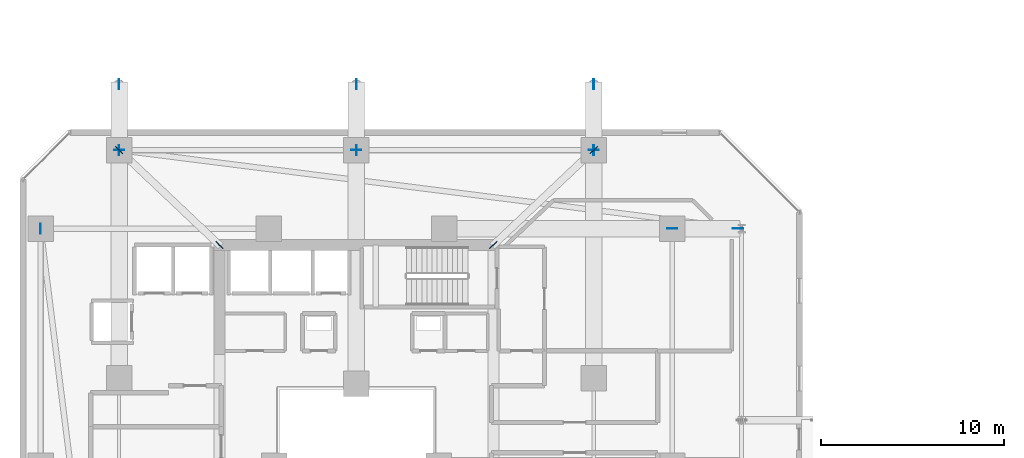
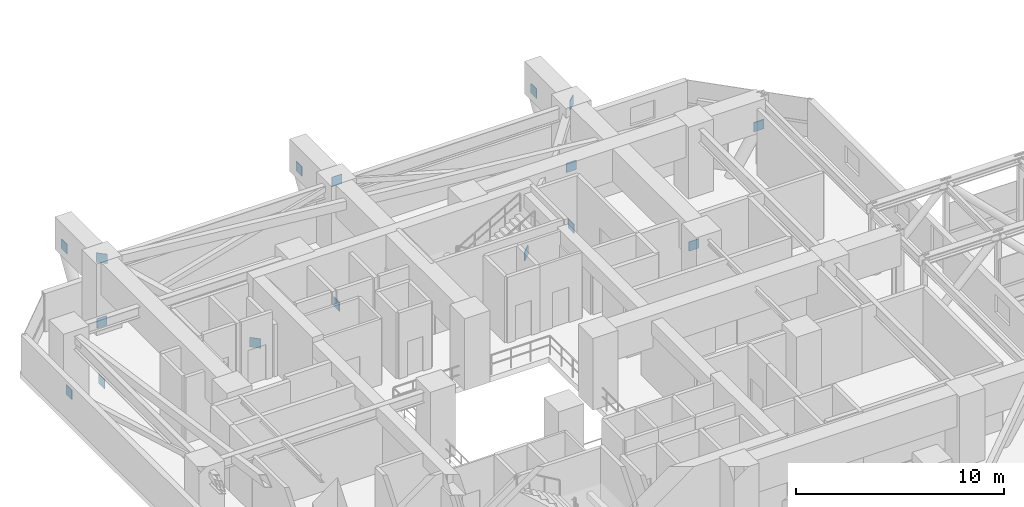
# One storey, part 26 of 38: 16 plates.
"""IFC4 building model written with IfcOpenShell, lengths in metres."""

from ifc_helpers import new_model, si_unit, direction, frame, origin, origin_2d, place, context, subcontext, project, spatial, rectangle, extrude, material, layer, layer_set, type_object, element, save


model = new_model("IFC4")

# Units and contexts
model_context = context("Model", 3, precision=1e-05, world=origin(), true_north=direction((0.0, 1.0)))
body_context = subcontext(model_context, "Body", "Model", "MODEL_VIEW")
ifc_project = project(units=[si_unit("LENGTHUNIT", "METRE"), si_unit("AREAUNIT", "SQUARE_METRE"), si_unit("VOLUMEUNIT", "CUBIC_METRE"), si_unit("PLANEANGLEUNIT", "RADIAN"), si_unit("MASSUNIT", "GRAM", prefix="KILO")], contexts=[model_context])

# Site, building, storey
site_placement = place(None, origin())
site = spatial("IfcSite", under=ifc_project, at=site_placement, CompositionType="ELEMENT")
building_placement = place(site_placement, origin())
building = spatial("IfcBuilding", under=site, at=building_placement, Name="Thornwick Lancets Civic Towers", CompositionType="ELEMENT")
storey_placement = place(building_placement, frame((0.0, 0.0, 71.699951171875)))
storey = spatial("IfcBuildingStorey", under=building, at=storey_placement, Name="L18", CompositionType="ELEMENT", Elevation=71.699951171875)

# Plates
ifc_material = material(Name="Steel S460M", Category="steel")
ifc_layer = layer(ifc_material, 0.0400390625, Name="Steel S460M")
ifc_layer_set = layer_set([ifc_layer], Name="Steel S460M")
plate_type = type_object("IfcPlateType", Name="PLT_GUSSET_40", PredefinedType="USERDEFINED", material=ifc_layer_set)
for number, where, z_axis, x_axis, name in (
    (1, (42.800048828125, 40.0, -3.625), (0.0, 0.0, 1.0), (1.0, 0.0, 0.0), "L18 Brace Connection Gusset Plate 0079"),
    (2, (46.39990234375, 40.0, 2.10498046875), (0.0, 0.0, 1.0), (1.0, 0.0, 0.0), "L18 Brace Connection Gusset Plate 0080"),
    (3, (12.5, 44.300048828125, -3.625), (0.0, 0.0, 1.0), (0.0, 1.0, 0.0), "L18 Brace Connection Gusset Plate 0081"),
    (4, (12.5, 47.89990234375, 2.10498046875), (0.0, 0.0, 1.0), (0.0, 1.0, 0.0), "L18 Brace Connection Gusset Plate 0082"),
    (5, (25.5, 44.300048828125, -3.625), (0.0, 0.0, 1.0), (0.0, 1.0, 0.0), "L18 Brace Connection Gusset Plate 0083"),
    (6, (25.5, 47.89990234375, 2.10498046875), (0.0, 0.0, 1.0), (0.0, 1.0, 0.0), "L18 Brace Connection Gusset Plate 0084"),
    (7, (38.5, 44.300048828125, -3.625), (0.0, 0.0, 1.0), (0.0, 1.0, 0.0), "L18 Brace Connection Gusset Plate 0085"),
    (8, (38.5, 47.89990234375, 2.10498046875), (0.0, 0.0, 1.0), (0.0, 1.0, 0.0), "L18 Brace Connection Gusset Plate 0086"),
    (9, (12.5, 44.300048828125, -0.125), (0.0, 0.0, 1.0), (1.0, 0.0, 0.0), "L18 Brace Connection Gusset Plate 0100"),
    (10, (25.5, 44.300048828125, 3.60498046875), (0.0, 0.0, 1.0), (1.0, 0.0, 0.0), "L18 Brace Connection Gusset Plate 0101"),
    (11, (38.5, 44.300048828125, -0.125), (0.0, 0.0, 1.0), (-1.0, 0.0, 0.0), "L18 Brace Connection Gusset Plate 0102"),
    (12, (8.199951171875, 40.0, -0.125), (0.0, 0.0, 1.0), (0.0, -1.0, 0.0), "L18 Brace Connection Gusset Plate 0105"),
    (13, (33.0, 39.10009765625, -0.125), (0.0, 0.0, 1.0), (0.726694579297, 0.686960689137, 0.0), "L18 Brace Connection Gusset Plate 0110"),
    (14, (38.5, 44.300048828125, 3.60498046875), (0.0, 0.0, 1.0), (0.726694579297, 0.686960689137, 0.0), "L18 Brace Connection Gusset Plate 0111"),
    (15, (18.0, 39.10009765625, -0.125), (0.0, 0.0, 1.0), (-0.726694579297, 0.686960689137, 0.0), "L18 Brace Connection Gusset Plate 0112"),
    (16, (12.5, 44.300048828125, 3.60498046875), (0.0, 0.0, 1.0), (-0.726694579297, 0.686960689137, 0.0), "L18 Brace Connection Gusset Plate 0113"),
):
    element("IfcPlate", number, at=place(storey_placement, frame(where, z_axis=z_axis, x_axis=x_axis)), inside=storey, type_object=plate_type, Name=name, ObjectType="GUSSET_PLATE", PredefinedType="USERDEFINED", context=body_context, shape_type="SweptSolid", body=[
        extrude(rectangle(XDim=0.550048828125, YDim=0.0400390625, at=origin_2d()), origin(), (0.0, 0.0, 1.0), 0.550048828125),
    ])

save(model, "model.ifc")
